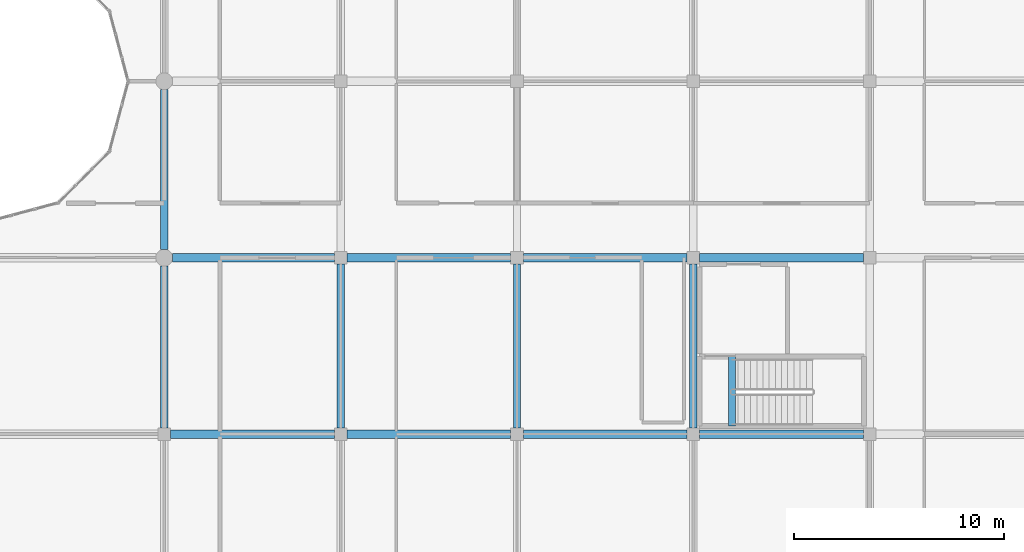
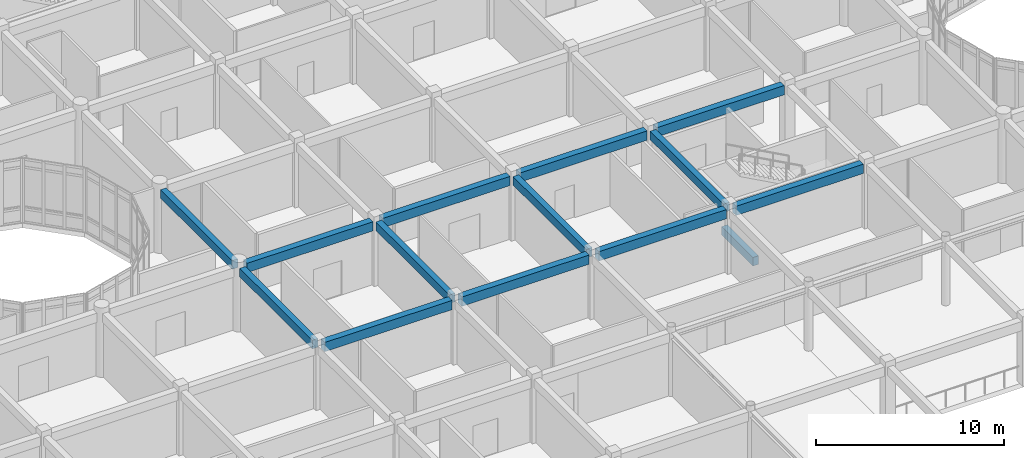
# One storey, part 38 of 144: 14 beams.
"""IFC4 building model written with IfcOpenShell, lengths in metres."""

from ifc_helpers import new_model, si_unit, direction, frame, origin, origin_2d, place, context, subcontext, project, spatial, rectangle, extrude, material, material_profile, profile_set, type_object, element, save


model = new_model("IFC4")

# Units and contexts
model_context = context("Model", 3, precision=1e-05, world=origin(), true_north=direction((0.0, 1.0)))
body_context = subcontext(model_context, "Body", "Model", "MODEL_VIEW")
ifc_project = project(units=[si_unit("LENGTHUNIT", "METRE"), si_unit("AREAUNIT", "SQUARE_METRE"), si_unit("VOLUMEUNIT", "CUBIC_METRE"), si_unit("PLANEANGLEUNIT", "RADIAN"), si_unit("MASSUNIT", "GRAM", prefix="KILO")], contexts=[model_context])

# Site, building, storey
site_placement = place(None, origin())
site = spatial("IfcSite", under=ifc_project, at=site_placement, CompositionType="ELEMENT")
building_placement = place(site_placement, origin())
building = spatial("IfcBuilding", under=site, at=building_placement, Name="Bramfleet General Hospital", CompositionType="ELEMENT")
storey_placement = place(building_placement, frame((0.0, 0.0, 4.800048828125)))
storey = spatial("IfcBuildingStorey", under=building, at=storey_placement, Name="L01", CompositionType="ELEMENT", Elevation=4.800048828125)

# Beams
ifc_material = material(Name="Concrete C35/45", Category="concrete")
ifc_material_profile_1 = material_profile(ifc_material, rectangle(XDim=0.35009765625, YDim=0.550048828125, at=origin_2d()), Name="RC BM 550x350")
ifc_profile_set_1 = profile_set([ifc_material_profile_1], Name="Concrete C35/45")
beam_type_1 = type_object("IfcBeamType", Name="BM-RC550", PredefinedType="BEAM", material=ifc_profile_set_1)
beam_1_placement = place(storey_placement, frame((33.60009765625, 67.5, 3.875), z_axis=(0.0, 1.0, 0.0), x_axis=(-1.0, 0.0, 0.0)))
element("IfcBeam", 1, at=beam_1_placement, inside=storey, type_object=beam_type_1, Name="L01 Grid Beam Y 04-08", PredefinedType="BEAM", context=body_context, shape_type="SweptSolid", body=[
    extrude(rectangle(XDim=0.35009765625, YDim=0.550048828125, at=origin_2d()), origin(), (0.0, 0.0, 1.0), 7.699951171875),
])
beam_2_placement = place(storey_placement, frame((33.60009765625, 76.0, 3.875), z_axis=(0.0, 1.0, 0.0), x_axis=(-1.0, 0.0, 0.0)))
element("IfcBeam", 2, at=beam_2_placement, inside=storey, type_object=beam_type_1, Name="L01 Grid Beam Y 04-09", PredefinedType="BEAM", context=body_context, shape_type="SweptSolid", body=[
    extrude(rectangle(XDim=0.35009765625, YDim=0.550048828125, at=origin_2d()), origin(), (0.0, 0.0, 1.0), 7.60009765625),
])
for number, where, z_axis, x_axis, name in (
    (3, (42.0, 67.5, 3.875), (0.0, 1.0, 0.0), (-1.0, 0.0, 0.0), "L01 Grid Beam Y 05-08"),
    (4, (50.39990234375, 67.5, 3.875), (0.0, 1.0, 0.0), (-1.0, 0.0, 0.0), "L01 Grid Beam Y 06-08"),
    (5, (58.800048828125, 67.5, 3.875), (0.0, 1.0, 0.0), (-1.0, 0.0, 0.0), "L01 Grid Beam Y 07-08"),
):
    element("IfcBeam", number, at=place(storey_placement, frame(where, z_axis=z_axis, x_axis=x_axis)), inside=storey, type_object=beam_type_1, Name=name, PredefinedType="BEAM", context=body_context, shape_type="SweptSolid", body=[
        extrude(rectangle(XDim=0.35009765625, YDim=0.550048828125, at=origin_2d()), origin(), (0.0, 0.0, 1.0), 7.800048828125),
    ])
beam_3_placement = place(storey_placement, frame((60.639892578125, 67.580078125, -0.275146484375), z_axis=(0.0, 1.0, 0.0), x_axis=(-1.0, 0.0, 0.0)))
element("IfcBeam", 6, at=beam_3_placement, inside=storey, type_object=beam_type_1, Name="L01 C13 Stairwell Trimmer Beam", PredefinedType="BEAM", context=body_context, shape_type="SweptSolid", body=[
    extrude(rectangle(XDim=0.35009765625, YDim=0.550048828125, at=origin_2d()), origin(), (0.0, 0.0, 1.0), 3.31982421875),
])
ifc_material_profile_2 = material_profile(ifc_material, rectangle(XDim=0.39990234375, YDim=0.60009765625, at=origin_2d()), Name="RC BM 600x400")
ifc_profile_set_2 = profile_set([ifc_material_profile_2], Name="Concrete C35/45")
beam_type_2 = type_object("IfcBeamType", Name="BM-RC600", PredefinedType="BEAM", material=ifc_profile_set_2)
beam_4_placement = place(storey_placement, frame((33.89990234375, 67.199951171875, 3.849853515625), z_axis=(1.0, 0.0, 0.0), x_axis=(0.0, 1.0, 0.0)))
element("IfcBeam", 7, at=beam_4_placement, inside=storey, type_object=beam_type_2, Name="L01 Grid Beam X 04-08", PredefinedType="BEAM", context=body_context, shape_type="SweptSolid", body=[
    extrude(rectangle(XDim=0.39990234375, YDim=0.60009765625, at=origin_2d()), origin(), (0.0, 0.0, 1.0), 7.800048828125),
])
beam_5_placement = place(storey_placement, frame((34.0, 75.60009765625, 3.849853515625), z_axis=(1.0, 0.0, 0.0), x_axis=(0.0, 1.0, 0.0)))
element("IfcBeam", 8, at=beam_5_placement, inside=storey, type_object=beam_type_2, Name="L01 Grid Beam X 04-09", PredefinedType="BEAM", context=body_context, shape_type="SweptSolid", body=[
    extrude(rectangle(XDim=0.39990234375, YDim=0.60009765625, at=origin_2d()), origin(), (0.0, 0.0, 1.0), 7.699951171875),
])
for number, where, z_axis, x_axis, name in (
    (9, (42.300048828125, 67.199951171875, 3.849853515625), (1.0, 0.0, 0.0), (0.0, 1.0, 0.0), "L01 Grid Beam X 05-08"),
    (10, (42.300048828125, 75.60009765625, 3.849853515625), (1.0, 0.0, 0.0), (0.0, 1.0, 0.0), "L01 Grid Beam X 05-09"),
    (11, (50.699951171875, 67.199951171875, 3.849853515625), (1.0, 0.0, 0.0), (0.0, 1.0, 0.0), "L01 Grid Beam X 06-08"),
    (12, (50.699951171875, 75.60009765625, 3.849853515625), (1.0, 0.0, 0.0), (0.0, 1.0, 0.0), "L01 Grid Beam X 06-09"),
):
    element("IfcBeam", number, at=place(storey_placement, frame(where, z_axis=z_axis, x_axis=x_axis)), inside=storey, type_object=beam_type_2, Name=name, PredefinedType="BEAM", context=body_context, shape_type="SweptSolid", body=[
        extrude(rectangle(XDim=0.39990234375, YDim=0.60009765625, at=origin_2d()), origin(), (0.0, 0.0, 1.0), 7.800048828125),
    ])
for number, where, z_axis, x_axis, name in (
    (13, (59.10009765625, 67.199951171875, 3.849853515625), (1.0, 0.0, 0.0), (0.0, 1.0, 0.0), "L01 Grid Beam X 07-08"),
    (14, (59.10009765625, 75.60009765625, 3.849853515625), (1.0, 0.0, 0.0), (0.0, 1.0, 0.0), "L01 Grid Beam X 07-09"),
):
    element("IfcBeam", number, at=place(storey_placement, frame(where, z_axis=z_axis, x_axis=x_axis)), inside=storey, type_object=beam_type_2, Name=name, PredefinedType="BEAM", context=body_context, shape_type="SweptSolid", body=[
        extrude(rectangle(XDim=0.39990234375, YDim=0.60009765625, at=origin_2d()), origin(), (0.0, 0.0, 1.0), 7.7998046875),
    ])

save(model, "model.ifc")
